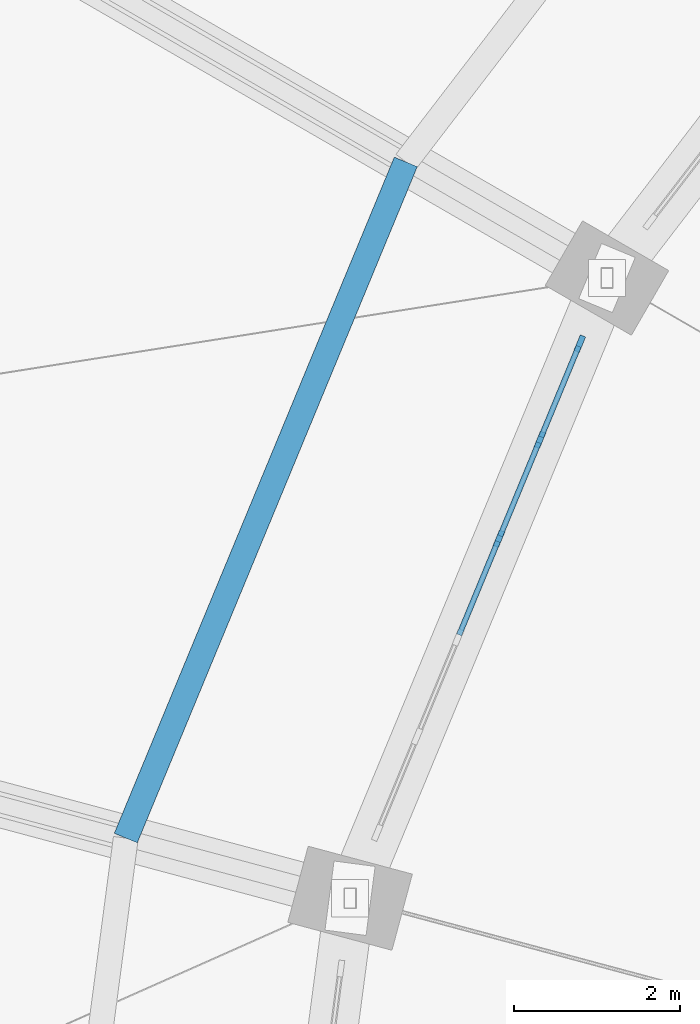
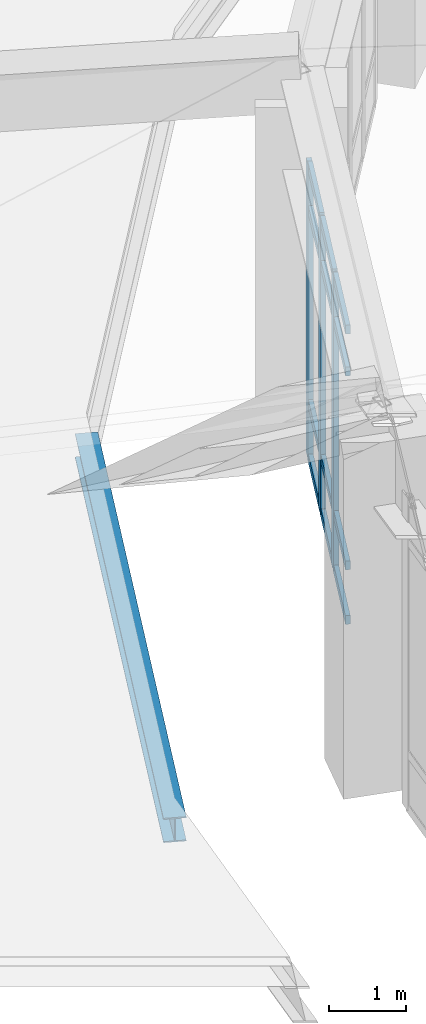
# One storey, part 15 of 68: 15 members, 1 beam, 1 element without a shape of its own.
"""IFC4 building model written with IfcOpenShell, lengths in metres."""

from ifc_helpers import new_model, si_unit, direction, frame, origin, origin_2d, place, context, subcontext, project, spatial, rectangle, i_section, extrude, material, layer, layer_set, material_profile, profile_set, type_object, element, aggregate, save


model = new_model("IFC4")

# Units and contexts
model_context = context("Model", 3, precision=1e-05, world=origin(), true_north=direction((0.0, 1.0)))
body_context = subcontext(model_context, "Body", "Model", "MODEL_VIEW")
ifc_project = project(units=[si_unit("LENGTHUNIT", "METRE"), si_unit("AREAUNIT", "SQUARE_METRE"), si_unit("VOLUMEUNIT", "CUBIC_METRE"), si_unit("PLANEANGLEUNIT", "RADIAN"), si_unit("MASSUNIT", "GRAM", prefix="KILO")], contexts=[model_context])

# Site, building, storey
site_placement = place(None, origin())
site = spatial("IfcSite", under=ifc_project, at=site_placement, CompositionType="ELEMENT")
building_placement = place(site_placement, origin())
building = spatial("IfcBuilding", under=site, at=building_placement, Name="Sohan Crest Arena", CompositionType="ELEMENT")
storey_placement = place(building_placement, frame((0.0, 0.0, 27.0)))
storey = spatial("IfcBuildingStorey", under=building, at=storey_placement, Name="RF", CompositionType="ELEMENT", Elevation=27.0)

# Curtain wall, members
ifc_material_1 = material(Name="Thermally broken anodised aluminium", Category="aluminium")
ifc_layer = layer(ifc_material_1, 0.18994140625, Name="Thermally broken anodised aluminium")
ifc_layer_set = layer_set([ifc_layer], Name="Thermally broken anodised aluminium")
curtain_wall_type = type_object("IfcCurtainWallType", Name="ARC-CW05", PredefinedType="NOTDEFINED", material=ifc_layer_set)
curtain_wall_placement = place(storey_placement, origin())
curtain_wall = element("IfcCurtainWall", 1, at=curtain_wall_placement, inside=storey, type_object=curtain_wall_type, Name="Unitised curtain wall CW-173", PredefinedType="NOTDEFINED")
ifc_material_profile_1 = material_profile(ifc_material_1, rectangle(XDim=0.070068359375, YDim=0.199951171875, at=origin_2d()), Name="ALU-MULL 70x200")
ifc_profile_set_1 = profile_set([ifc_material_profile_1], Name="Thermally broken anodised aluminium")
member_type_1 = type_object("IfcMemberType", Name="ARC-CW-ML03", PredefinedType="MULLION", material=ifc_profile_set_1)
member_1_placement = place(storey_placement, frame((70.82568359375, 92.709716796875, 0.0), z_axis=(0.0, 0.0, 1.0), x_axis=(0.923886494023, -0.382666625357, 0.0)))
member_1 = element("IfcMember", 2, at=member_1_placement, type_object=member_type_1, Name="CW-173 mullion 1", PredefinedType="MULLION", context=body_context, shape_type="SweptSolid", body=[
    extrude(rectangle(XDim=0.070068359375, YDim=0.199951171875, at=origin_2d()), origin(), (0.0, 0.0, 1.0), 4.68603515625),
])
member_2_placement = place(storey_placement, frame((70.34521484375, 91.5498046875, 0.0), z_axis=(0.0, 0.0, 1.0), x_axis=(0.923886494023, -0.382666625357, 0.0)))
member_2 = element("IfcMember", 3, at=member_2_placement, type_object=member_type_1, Name="CW-173 mullion 2", PredefinedType="MULLION", context=body_context, shape_type="SweptSolid", body=[
    extrude(rectangle(XDim=0.070068359375, YDim=0.199951171875, at=origin_2d()), origin(), (0.0, 0.0, 1.0), 4.68603515625),
])
member_3_placement = place(storey_placement, frame((69.851318359375, 90.357666015625, 0.0), z_axis=(0.0, 0.0, 1.0), x_axis=(0.923886494023, -0.382666625357, 0.0)))
member_3 = element("IfcMember", 4, at=member_3_placement, type_object=member_type_1, Name="CW-173 mullion 3", PredefinedType="MULLION", context=body_context, shape_type="SweptSolid", body=[
    extrude(rectangle(XDim=0.070068359375, YDim=0.199951171875, at=origin_2d()), origin(), (0.0, 0.0, 1.0), 4.68603515625),
])
ifc_material_profile_2 = material_profile(ifc_material_1, rectangle(XDim=0.06494140625, YDim=0.139892578125, at=origin_2d()), Name="ALU-TRAN 65x140")
ifc_profile_set_2 = profile_set([ifc_material_profile_2], Name="Thermally broken anodised aluminium")
member_type_2 = type_object("IfcMemberType", Name="ARC-CW-TR02", PredefinedType="USERDEFINED", material=ifc_profile_set_2)
member_4_placement = place(storey_placement, frame((70.812255859375, 92.67724609375, 0.032470703125), z_axis=(-0.382654947151, -0.923891330959, 0.0), x_axis=(0.923891330959, -0.382654947151, 0.0)))
member_4 = element("IfcMember", 5, at=member_4_placement, type_object=member_type_2, Name="CW-173 transom 1.1", ObjectType="TRANSOM", PredefinedType="USERDEFINED", context=body_context, shape_type="SweptSolid", body=[
    extrude(rectangle(XDim=0.06494140625, YDim=0.139892578125, at=origin_2d()), origin(), (0.0, 0.0, 1.0), 1.185546875),
])
member_5_placement = place(storey_placement, frame((70.812255859375, 92.67724609375, 0.89990234375), z_axis=(-0.382654947151, -0.923891330959, 0.0), x_axis=(0.923891330959, -0.382654947151, 0.0)))
member_5 = element("IfcMember", 6, at=member_5_placement, type_object=member_type_2, Name="CW-173 transom 1.2", ObjectType="TRANSOM", PredefinedType="USERDEFINED", context=body_context, shape_type="SweptSolid", body=[
    extrude(rectangle(XDim=0.06494140625, YDim=0.139892578125, at=origin_2d()), origin(), (0.0, 0.0, 1.0), 1.185546875),
])
member_6_placement = place(storey_placement, frame((70.812255859375, 92.67724609375, 3.986083984375), z_axis=(-0.382654947151, -0.923891330959, 0.0), x_axis=(0.923891330959, -0.382654947151, 0.0)))
member_6 = element("IfcMember", 7, at=member_6_placement, type_object=member_type_2, Name="CW-173 transom 1.3", ObjectType="TRANSOM", PredefinedType="USERDEFINED", context=body_context, shape_type="SweptSolid", body=[
    extrude(rectangle(XDim=0.06494140625, YDim=0.139892578125, at=origin_2d()), origin(), (0.0, 0.0, 1.0), 1.185546875),
])
member_7_placement = place(storey_placement, frame((70.812255859375, 92.67724609375, 4.653564453125), z_axis=(-0.382654947151, -0.923891330959, 0.0), x_axis=(0.923891330959, -0.382654947151, 0.0)))
member_7 = element("IfcMember", 8, at=member_7_placement, type_object=member_type_2, Name="CW-173 transom 1.4", ObjectType="TRANSOM", PredefinedType="USERDEFINED", context=body_context, shape_type="SweptSolid", body=[
    extrude(rectangle(XDim=0.06494140625, YDim=0.139892578125, at=origin_2d()), origin(), (0.0, 0.0, 1.0), 1.185546875),
])
member_8_placement = place(storey_placement, frame((70.331787109375, 91.517578125, 0.032470703125), z_axis=(-0.382640332417, -0.923897383917, 0.0), x_axis=(0.923897383917, -0.382640332417, 0.0)))
member_8 = element("IfcMember", 9, at=member_8_placement, type_object=member_type_2, Name="CW-173 transom 2.1", ObjectType="TRANSOM", PredefinedType="USERDEFINED", context=body_context, shape_type="SweptSolid", body=[
    extrude(rectangle(XDim=0.06494140625, YDim=0.139892578125, at=origin_2d()), origin(), (0.0, 0.0, 1.0), 1.220458984375),
])
member_9_placement = place(storey_placement, frame((70.331787109375, 91.517578125, 0.89990234375), z_axis=(-0.382640332417, -0.923897383917, 0.0), x_axis=(0.923897383917, -0.382640332417, 0.0)))
member_9 = element("IfcMember", 10, at=member_9_placement, type_object=member_type_2, Name="CW-173 transom 2.2", ObjectType="TRANSOM", PredefinedType="USERDEFINED", context=body_context, shape_type="SweptSolid", body=[
    extrude(rectangle(XDim=0.06494140625, YDim=0.139892578125, at=origin_2d()), origin(), (0.0, 0.0, 1.0), 1.220458984375),
])
member_10_placement = place(storey_placement, frame((70.331787109375, 91.517578125, 3.986083984375), z_axis=(-0.382640332417, -0.923897383917, 0.0), x_axis=(0.923897383917, -0.382640332417, 0.0)))
member_10 = element("IfcMember", 11, at=member_10_placement, type_object=member_type_2, Name="CW-173 transom 2.3", ObjectType="TRANSOM", PredefinedType="USERDEFINED", context=body_context, shape_type="SweptSolid", body=[
    extrude(rectangle(XDim=0.06494140625, YDim=0.139892578125, at=origin_2d()), origin(), (0.0, 0.0, 1.0), 1.220458984375),
])
member_11_placement = place(storey_placement, frame((70.331787109375, 91.517578125, 4.653564453125), z_axis=(-0.382640332417, -0.923897383917, 0.0), x_axis=(0.923897383917, -0.382640332417, 0.0)))
member_11 = element("IfcMember", 12, at=member_11_placement, type_object=member_type_2, Name="CW-173 transom 2.4", ObjectType="TRANSOM", PredefinedType="USERDEFINED", context=body_context, shape_type="SweptSolid", body=[
    extrude(rectangle(XDim=0.06494140625, YDim=0.139892578125, at=origin_2d()), origin(), (0.0, 0.0, 1.0), 1.220458984375),
])
member_12_placement = place(storey_placement, frame((69.837890625, 90.3251953125, 0.032470703125), z_axis=(-0.382540280289, -0.92393881505, 0.0), x_axis=(0.92393881505, -0.382540280289, 0.0)))
member_12 = element("IfcMember", 13, at=member_12_placement, type_object=member_type_2, Name="CW-173 transom 3.1", ObjectType="TRANSOM", PredefinedType="USERDEFINED", context=body_context, shape_type="SweptSolid", body=[
    extrude(rectangle(XDim=0.06494140625, YDim=0.139892578125, at=origin_2d()), origin(), (0.0, 0.0, 1.0), 1.22021484375),
])
member_13_placement = place(storey_placement, frame((69.837890625, 90.3251953125, 0.89990234375), z_axis=(-0.382540280289, -0.92393881505, 0.0), x_axis=(0.92393881505, -0.382540280289, 0.0)))
member_13 = element("IfcMember", 14, at=member_13_placement, type_object=member_type_2, Name="CW-173 transom 3.2", ObjectType="TRANSOM", PredefinedType="USERDEFINED", context=body_context, shape_type="SweptSolid", body=[
    extrude(rectangle(XDim=0.06494140625, YDim=0.139892578125, at=origin_2d()), origin(), (0.0, 0.0, 1.0), 1.22021484375),
])
member_14_placement = place(storey_placement, frame((69.837890625, 90.3251953125, 3.986083984375), z_axis=(-0.382540280289, -0.92393881505, 0.0), x_axis=(0.92393881505, -0.382540280289, 0.0)))
member_14 = element("IfcMember", 15, at=member_14_placement, type_object=member_type_2, Name="CW-173 transom 3.3", ObjectType="TRANSOM", PredefinedType="USERDEFINED", context=body_context, shape_type="SweptSolid", body=[
    extrude(rectangle(XDim=0.06494140625, YDim=0.139892578125, at=origin_2d()), origin(), (0.0, 0.0, 1.0), 1.22021484375),
])
member_15_placement = place(storey_placement, frame((69.837890625, 90.3251953125, 4.653564453125), z_axis=(-0.382540280289, -0.92393881505, 0.0), x_axis=(0.92393881505, -0.382540280289, 0.0)))
member_15 = element("IfcMember", 16, at=member_15_placement, type_object=member_type_2, Name="CW-173 transom 3.4", ObjectType="TRANSOM", PredefinedType="USERDEFINED", context=body_context, shape_type="SweptSolid", body=[
    extrude(rectangle(XDim=0.06494140625, YDim=0.139892578125, at=origin_2d()), origin(), (0.0, 0.0, 1.0), 1.22021484375),
])
aggregate(curtain_wall, [member_1, member_2, member_3, member_4, member_5, member_6, member_7, member_8, member_9, member_10, member_11, member_12, member_13, member_14, member_15])

# Beam
ifc_material_2 = material(Name="Steel S355", Category="steel")
ifc_material_profile_3 = material_profile(ifc_material_2, i_section(OverallWidth=0.300048828125, OverallDepth=0.389892578125, WebThickness=0.010986328125, FlangeThickness=0.01904296875, at=origin_2d()), Name="HEA 400")
ifc_profile_set_3 = profile_set([ifc_material_profile_3], Name="Steel S355")
beam_type = type_object("IfcBeamType", Name="STR-BM-B09", PredefinedType="BEAM", material=ifc_profile_set_3)
beam_placement = place(storey_placement, frame((68.72802734375, 94.89990234375, -0.4150390625), z_axis=(-0.38262224111, -0.923904876385, 0.0), x_axis=(0.923904876385, -0.38262224111, 0.0)))
element("IfcBeam", 17, at=beam_placement, inside=storey, type_object=beam_type, Name="Structural beam RG-RF-1879", PredefinedType="BEAM", context=body_context, shape_type="SweptSolid", body=[
    extrude(i_section(OverallWidth=0.300048828125, OverallDepth=0.389892578125, WebThickness=0.010986328125, FlangeThickness=0.01904296875, at=origin_2d()), origin(), (0.0, 0.0, 1.0), 8.8232421875),
])

save(model, "model.ifc")
